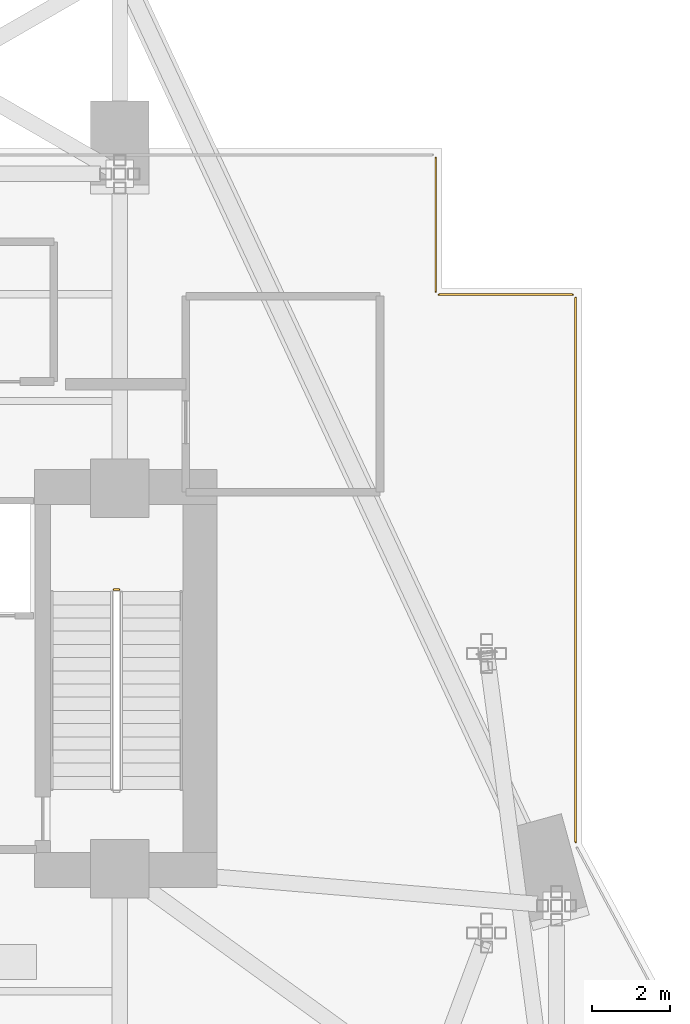
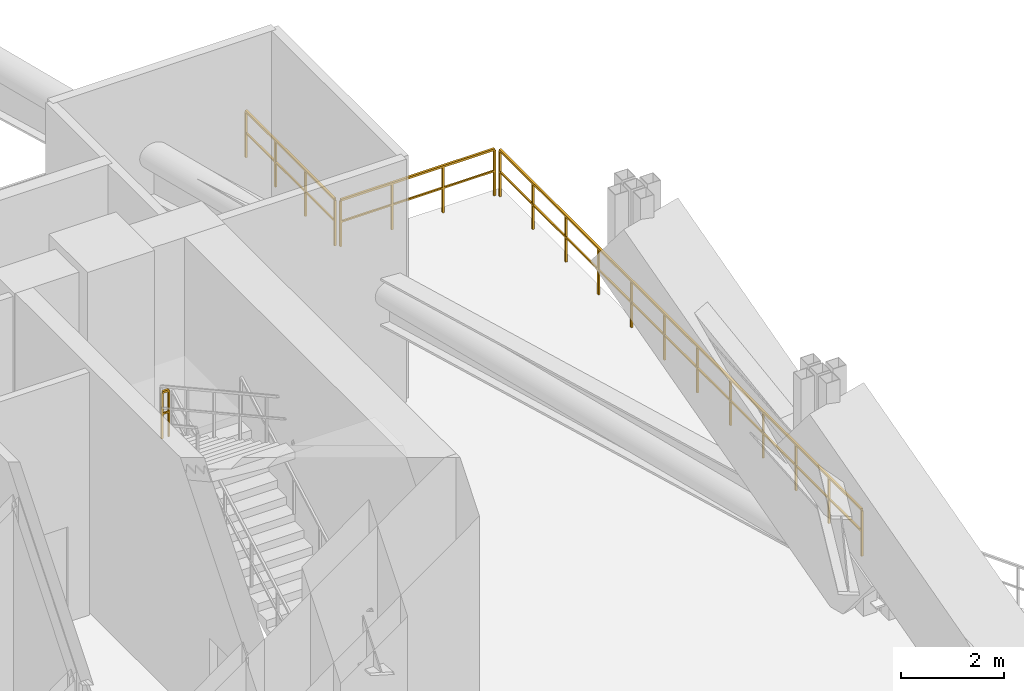
# One storey, part 21 of 21: 4 railings.
"""IFC4 building model written with IfcOpenShell, lengths in metres."""

import ifcopenshell
import ifcopenshell.guid

model = None  # the IFC model being written
_history = None  # IfcOwnerHistory: only IFC2X3 demands one
_inside = {}  # id of a spatial element -> (the spatial element, [elements in it])
_under = {}  # id of a project, library or spatial element -> (it, [spatial elements below it])
_declared = {}  # id of a project -> (the project, [libraries it declares])
_typed = {}  # id of a type object -> (the type object, [elements of that type])
_made_of = {}  # id of a material, layer set ... -> (it, [elements and type objects made of it])


def new_model(schema):
    """Start an empty IFC model of exactly this schema.

    Asked for "IFC4X3", IfcOpenShell would pick the latest addendum, in which some entities
    have other attributes; the version numbers below select the first issue.
    IFC2X3 requires an IfcOwnerHistory on every rooted entity: one is made here for all.
    """
    global model, _history
    if schema == "IFC4X3":
        model = ifcopenshell.file(schema_version=(4, 3, 0, 0))
    else:
        model = ifcopenshell.file(schema=schema)
    _inside.clear()
    _under.clear()
    _declared.clear()
    _typed.clear()
    _made_of.clear()
    _history = None
    if model.schema == "IFC2X3":
        org = make("IfcOrganization", Name="unknown")
        user = make(
            "IfcPersonAndOrganization",
            ThePerson=make("IfcPerson", FamilyName="unknown"),
            TheOrganization=org,
        )
        app = make(
            "IfcApplication",
            ApplicationDeveloper=org,
            Version="unknown",
            ApplicationFullName="unknown",
            ApplicationIdentifier="unknown",
        )
        _history = make(
            "IfcOwnerHistory",
            OwningUser=user,
            OwningApplication=app,
            ChangeAction="ADDED",
            CreationDate=0,
        )
    return model


def make(cls, **values):
    """One entity of the class cls with the attributes given. An attribute that is None is left unset."""
    return model.create_entity(
        cls, **{name: value for name, value in values.items() if value is not None}
    )


def rooted(cls, **values):
    """An entity with a GlobalId (a new one), such as an element, a storey or a relation."""
    return make(cls, GlobalId=ifcopenshell.guid.new(), OwnerHistory=_history, **values)


def si_unit(unit_type, name, prefix=None):
    """IfcSIUnit, for example si_unit("LENGTHUNIT", "METRE", prefix="MILLI")."""
    return make("IfcSIUnit", UnitType=unit_type, Prefix=prefix, Name=name)


def assignment(units):
    """IfcUnitAssignment: the units of a project."""
    return None if units is None else make("IfcUnitAssignment", Units=units)


def point(xyz):
    """IfcCartesianPoint."""
    return None if xyz is None else make("IfcCartesianPoint", Coordinates=xyz)


def direction(xyz):
    """IfcDirection."""
    return None if xyz is None else make("IfcDirection", DirectionRatios=xyz)


def frame(location, z_axis=None, x_axis=None):
    """IfcAxis2Placement3D, a coordinate frame: its origin and axes. An axis left out is left unset."""
    return make(
        "IfcAxis2Placement3D",
        Location=point(location),
        Axis=direction(z_axis),
        RefDirection=direction(x_axis),
    )


def frame_2d(location, x_axis=None):
    """IfcAxis2Placement2D, a coordinate frame in the plane: its origin and x axis."""
    return make(
        "IfcAxis2Placement2D", Location=point(location), RefDirection=direction(x_axis)
    )


def origin():
    """The frame at (0, 0, 0) with its axes left unset."""
    return frame((0.0, 0.0, 0.0))


def origin_2d():
    """The frame at (0, 0) in the plane with its x axis left unset."""
    return frame_2d((0.0, 0.0))


def place(relative_to, where):
    """IfcLocalPlacement: puts the frame where relative to a parent placement (None: the world)."""
    return make(
        "IfcLocalPlacement", PlacementRelTo=relative_to, RelativePlacement=where
    )


def context(
    kind, dimensions, precision=None, world=None, true_north=None, identifier=None
):
    """IfcGeometricRepresentationContext, for example the 3D "Model" context."""
    return make(
        "IfcGeometricRepresentationContext",
        ContextIdentifier=identifier,
        ContextType=kind,
        CoordinateSpaceDimension=dimensions,
        Precision=precision,
        WorldCoordinateSystem=world,
        TrueNorth=true_north,
    )


def subcontext(parent, identifier, kind, view, scale=None):
    """IfcGeometricRepresentationSubContext, for example "Body" below "Model"."""
    return make(
        "IfcGeometricRepresentationSubContext",
        ContextIdentifier=identifier,
        ContextType=kind,
        ParentContext=parent,
        TargetScale=scale,
        TargetView=view,
    )


def project(units=None, contexts=None):
    """IfcProject with its units and contexts."""
    return rooted(
        "IfcProject",
        Name="project",
        RepresentationContexts=contexts,
        UnitsInContext=assignment(units),
    )


def spatial(cls, under=None, at=None, **own):
    """A site, building, storey or space (cls), placed at a placement, below another one or the project."""
    s = rooted(cls, ObjectPlacement=at, **own)
    if under is not None:
        _under.setdefault(under.id(), (under, []))[1].append(s)
    return s


def profile(cls, at=None, kind="AREA", **sizes):
    """A parametric profile (cls). Its sizes go by their IFC names, for example OverallWidth=200.0."""
    return make(cls, ProfileType=kind, Position=at, **sizes)


def rectangle(**sizes):
    """IfcRectangleProfileDef."""
    return profile("IfcRectangleProfileDef", **sizes)


def extrude(swept, where, along, depth):
    """IfcExtrudedAreaSolid: the profile swept, set in the frame where, extruded along a direction by depth."""
    return make(
        "IfcExtrudedAreaSolid",
        SweptArea=swept,
        Position=where,
        ExtrudedDirection=direction(along),
        Depth=depth,
    )


def shape(context_of_items, identifier, shape_type, items):
    """IfcShapeRepresentation: the items that make up one representation, for example the "Body"."""
    return make(
        "IfcShapeRepresentation",
        ContextOfItems=context_of_items,
        RepresentationIdentifier=identifier,
        RepresentationType=shape_type,
        Items=items,
    )


def material(Name=None, Category=None):
    """IfcMaterial."""
    return make("IfcMaterial", Name=Name, Category=Category)


def made_of(thing, what):
    """Note that an element or type object is made of a material, layer set ...; save() writes the relation."""
    if what is not None:
        _made_of.setdefault(what.id(), (what, []))[1].append(thing)
    return thing


def type_object(cls, material=None, **own):
    """A type object (cls), such as IfcWallType, which elements share."""
    return made_of(rooted(cls, **own), material)


def element(
    cls,
    number,
    at=None,
    inside=None,
    cuts=None,
    type_object=None,
    material=None,
    context=None,
    identifier="Body",
    shape_type=None,
    held_by="IfcProductDefinitionShape",
    body=None,
    shapes=None,
    **own,
):
    """One element of the class cls, such as IfcWall. Its Tag is "e" and its number.

    at: its placement. inside: the storey or other place that contains it. cuts: it is an
    opening in that element (IfcRelVoidsElement). A single representation is given by context,
    identifier, shape_type and body (its items); several are given by shapes. held_by: the class
    of the entity that holds the representations. save() writes the other relations.
    """
    e = rooted(cls, Tag="e%d" % number, ObjectPlacement=at, **own)
    if body is not None:
        shapes = [shape(context, identifier, shape_type, body)]
    if shapes is not None:
        e.Representation = make(held_by, Representations=shapes)
    if inside is not None:
        _inside.setdefault(inside.id(), (inside, []))[1].append(e)
    if cuts is not None:
        rooted(
            "IfcRelVoidsElement", RelatingBuildingElement=cuts, RelatedOpeningElement=e
        )
    if type_object is not None:
        _typed.setdefault(type_object.id(), (type_object, []))[1].append(e)
    return made_of(e, material)


def aggregate(whole, parts):
    """IfcRelAggregates: a whole, such as a stair, and the parts it consists of."""
    return rooted("IfcRelAggregates", RelatingObject=whole, RelatedObjects=parts)


def save(model, path):
    """Write the relations noted so far, then the file.

    IfcRelAggregates (storeys below a building ...), IfcRelContainedInSpatialStructure (elements
    in a storey), IfcRelDefinesByType, IfcRelAssociatesMaterial and IfcRelDeclares: one each for
    every whole, place, type object, material and project.
    """
    for whole, parts in _under.values():
        aggregate(whole, parts)
    for where, things in _inside.values():
        rooted(
            "IfcRelContainedInSpatialStructure",
            RelatedElements=things,
            RelatingStructure=where,
        )
    for kind, things in _typed.values():
        rooted("IfcRelDefinesByType", RelatedObjects=things, RelatingType=kind)
    for what, things in _made_of.values():
        rooted("IfcRelAssociatesMaterial", RelatedObjects=things, RelatingMaterial=what)
    for by, libraries in _declared.values():
        rooted("IfcRelDeclares", RelatingContext=by, RelatedDefinitions=libraries)
    model.write(path)


model = new_model("IFC4")

# Units and contexts
model_context = context("Model", 3, precision=1e-05, world=origin(), true_north=direction((0.0, 1.0)))
body_context = subcontext(model_context, "Body", "Model", "MODEL_VIEW")
ifc_project = project(units=[si_unit("LENGTHUNIT", "METRE"), si_unit("AREAUNIT", "SQUARE_METRE"), si_unit("VOLUMEUNIT", "CUBIC_METRE"), si_unit("PLANEANGLEUNIT", "RADIAN"), si_unit("MASSUNIT", "GRAM", prefix="KILO")], contexts=[model_context])

# Site, building, storey
site_placement = place(None, origin())
site = spatial("IfcSite", under=ifc_project, at=site_placement, CompositionType="ELEMENT")
building_placement = place(site_placement, origin())
building = spatial("IfcBuilding", under=site, at=building_placement, Name="Zuhayl Quay Hotel", CompositionType="ELEMENT")
storey_placement = place(building_placement, frame((0.0, 0.0, 89.64990234375)))
storey = spatial("IfcBuildingStorey", under=building, at=storey_placement, Name="L22", CompositionType="ELEMENT", Elevation=89.64990234375)

# Railings
ifc_material_1 = material(Name="Anodised Aluminium and Laminated Glass", Category="aluminium")
railing_type_1 = type_object("IfcRailingType", Name="RL_EXT_BAL_1100", PredefinedType="BALUSTRADE", material=ifc_material_1)
railing_1_placement = place(storey_placement, frame((21.93994140625, 22.860107421875, 0.0)))
element("IfcRailing", 1, at=railing_1_placement, inside=storey, type_object=railing_type_1, Name="L22 Balcony and Terrace Guard GR_WIND_L22_10", PredefinedType="BALUSTRADE", context=body_context, shape_type="SweptSolid", body=[
    extrude(rectangle(XDim=0.048095703125, YDim=0.048095703125, at=origin_2d()), frame((0.0, 0.0, 1.09619140625), z_axis=(0.0, -1.0, 0.0), x_axis=(1.0, 0.0, 0.0)), (0.0, 0.0, 1.0), 3.440185546875),
    extrude(rectangle(XDim=0.0361328125, YDim=0.0361328125, at=origin_2d()), frame((0.0, 0.0, 0.58251953125), z_axis=(0.0, -1.0, 0.0), x_axis=(1.0, 0.0, 0.0)), (0.0, 0.0, 1.0), 3.440185546875),
    extrude(rectangle(XDim=0.0419921875, YDim=0.0419921875, at=origin_2d()), origin(), (0.0, 0.0, 1.0), 1.072021484375),
    extrude(rectangle(XDim=0.0419921875, YDim=0.0419921875, at=origin_2d()), frame((0.0, -1.146728515625, 0.0)), (0.0, 0.0, 1.0), 1.072021484375),
    extrude(rectangle(XDim=0.0419921875, YDim=0.0419921875, at=origin_2d()), frame((0.0, -2.29345703125, 0.0)), (0.0, 0.0, 1.0), 1.072021484375),
    extrude(rectangle(XDim=0.0419921875, YDim=0.0419921875, at=origin_2d()), frame((0.0, -3.440185546875, 0.0)), (0.0, 0.0, 1.0), 1.072021484375),
])
railing_2_placement = place(storey_placement, frame((22.02001953125, 19.340087890625, 0.0)))
element("IfcRailing", 2, at=railing_2_placement, inside=storey, type_object=railing_type_1, Name="L22 Balcony and Terrace Guard GR_WIND_L22_11", PredefinedType="BALUSTRADE", context=body_context, shape_type="SweptSolid", body=[
    extrude(rectangle(XDim=0.048095703125, YDim=0.048095703125, at=origin_2d()), frame((0.0, 0.0, 1.09619140625), z_axis=(1.0, 0.0, 0.0), x_axis=(0.0, 1.0, 0.0)), (0.0, 0.0, 1.0), 3.43994140625),
    extrude(rectangle(XDim=0.0361328125, YDim=0.0361328125, at=origin_2d()), frame((0.0, 0.0, 0.58251953125), z_axis=(1.0, 0.0, 0.0), x_axis=(0.0, 1.0, 0.0)), (0.0, 0.0, 1.0), 3.43994140625),
    extrude(rectangle(XDim=0.0419921875, YDim=0.0419921875, at=origin_2d()), origin(), (0.0, 0.0, 1.0), 1.072021484375),
    extrude(rectangle(XDim=0.0419921875, YDim=0.0419921875, at=origin_2d()), frame((1.146728515625, 0.0, 0.0)), (0.0, 0.0, 1.0), 1.072021484375),
    extrude(rectangle(XDim=0.0419921875, YDim=0.0419921875, at=origin_2d()), frame((2.293212890625, 0.0, 0.0)), (0.0, 0.0, 1.0), 1.072021484375),
    extrude(rectangle(XDim=0.0419921875, YDim=0.0419921875, at=origin_2d()), frame((3.43994140625, 0.0, 0.0)), (0.0, 0.0, 1.0), 1.072021484375),
])
railing_3_placement = place(storey_placement, frame((25.5400390625, 19.260009765625, 0.0)))
element("IfcRailing", 3, at=railing_3_placement, inside=storey, type_object=railing_type_1, Name="L22 Balcony and Terrace Guard GR_WIND_L22_12", PredefinedType="BALUSTRADE", context=body_context, shape_type="SweptSolid", body=[
    extrude(rectangle(XDim=0.048095703125, YDim=0.048095703125, at=origin_2d()), frame((0.0, 0.0, 1.09619140625), z_axis=(0.0, -1.0, 0.0), x_axis=(1.0, 0.0, 0.0)), (0.0, 0.0, 1.0), 14.020263671875),
    extrude(rectangle(XDim=0.0361328125, YDim=0.0361328125, at=origin_2d()), frame((0.0, 0.0, 0.58251953125), z_axis=(0.0, -1.0, 0.0), x_axis=(1.0, 0.0, 0.0)), (0.0, 0.0, 1.0), 14.020263671875),
    extrude(rectangle(XDim=0.0419921875, YDim=0.0419921875, at=origin_2d()), origin(), (0.0, 0.0, 1.0), 1.072021484375),
    extrude(rectangle(XDim=0.0419921875, YDim=0.0419921875, at=origin_2d()), frame((0.0, -1.274658203125, 0.0)), (0.0, 0.0, 1.0), 1.072021484375),
    extrude(rectangle(XDim=0.0419921875, YDim=0.0419921875, at=origin_2d()), frame((0.0, -2.549072265625, 0.0)), (0.0, 0.0, 1.0), 1.072021484375),
    extrude(rectangle(XDim=0.0419921875, YDim=0.0419921875, at=origin_2d()), frame((0.0, -3.82373046875, 0.0)), (0.0, 0.0, 1.0), 1.072021484375),
    extrude(rectangle(XDim=0.0419921875, YDim=0.0419921875, at=origin_2d()), frame((0.0, -5.098388671875, 0.0)), (0.0, 0.0, 1.0), 1.072021484375),
    extrude(rectangle(XDim=0.0419921875, YDim=0.0419921875, at=origin_2d()), frame((0.0, -6.372802734375, 0.0)), (0.0, 0.0, 1.0), 1.072021484375),
    extrude(rectangle(XDim=0.0419921875, YDim=0.0419921875, at=origin_2d()), frame((0.0, -7.6474609375, 0.0)), (0.0, 0.0, 1.0), 1.072021484375),
    extrude(rectangle(XDim=0.0419921875, YDim=0.0419921875, at=origin_2d()), frame((0.0, -8.921875, 0.0)), (0.0, 0.0, 1.0), 1.072021484375),
    extrude(rectangle(XDim=0.0419921875, YDim=0.0419921875, at=origin_2d()), frame((0.0, -10.196533203125, 0.0)), (0.0, 0.0, 1.0), 1.072021484375),
    extrude(rectangle(XDim=0.0419921875, YDim=0.0419921875, at=origin_2d()), frame((0.0, -11.47119140625, 0.0)), (0.0, 0.0, 1.0), 1.072021484375),
    extrude(rectangle(XDim=0.0419921875, YDim=0.0419921875, at=origin_2d()), frame((0.0, -12.74560546875, 0.0)), (0.0, 0.0, 1.0), 1.072021484375),
    extrude(rectangle(XDim=0.0419921875, YDim=0.0419921875, at=origin_2d()), frame((0.0, -14.020263671875, 0.0)), (0.0, 0.0, 1.0), 1.072021484375),
])
ifc_material_2 = material(Name="Steel ASTM A992 Grade 50", Category="steel")
railing_type_2 = type_object("IfcRailingType", Name="RL_GUARD_1100", PredefinedType="GUARDRAIL", material=ifc_material_2)
railing_4_placement = place(storey_placement, frame((13.7900390625, 11.739990234375, 3.0)))
element("IfcRailing", 4, at=railing_4_placement, inside=storey, type_object=railing_type_2, Name="L22 ST2 stair guard 2", PredefinedType="GUARDRAIL", context=body_context, shape_type="SweptSolid", body=[
    extrude(rectangle(XDim=0.048095703125, YDim=0.048095703125, at=origin_2d()), frame((0.0, 0.0, 1.09619140625), z_axis=(-1.0, 0.0, 0.0), x_axis=(0.0, -1.0, 0.0)), (0.0, 0.0, 1.0), 0.150146484375),
    extrude(rectangle(XDim=0.0361328125, YDim=0.0361328125, at=origin_2d()), frame((0.0, 0.0, 0.58251953125), z_axis=(-1.0, 0.0, 0.0), x_axis=(0.0, -1.0, 0.0)), (0.0, 0.0, 1.0), 0.150146484375),
    extrude(rectangle(XDim=0.0419921875, YDim=0.0419921875, at=origin_2d()), origin(), (0.0, 0.0, 1.0), 1.072021484375),
    extrude(rectangle(XDim=0.0419921875, YDim=0.0419921875, at=origin_2d()), frame((-0.150146484375, 0.0, 0.0)), (0.0, 0.0, 1.0), 1.072021484375),
])

save(model, "model.ifc")
